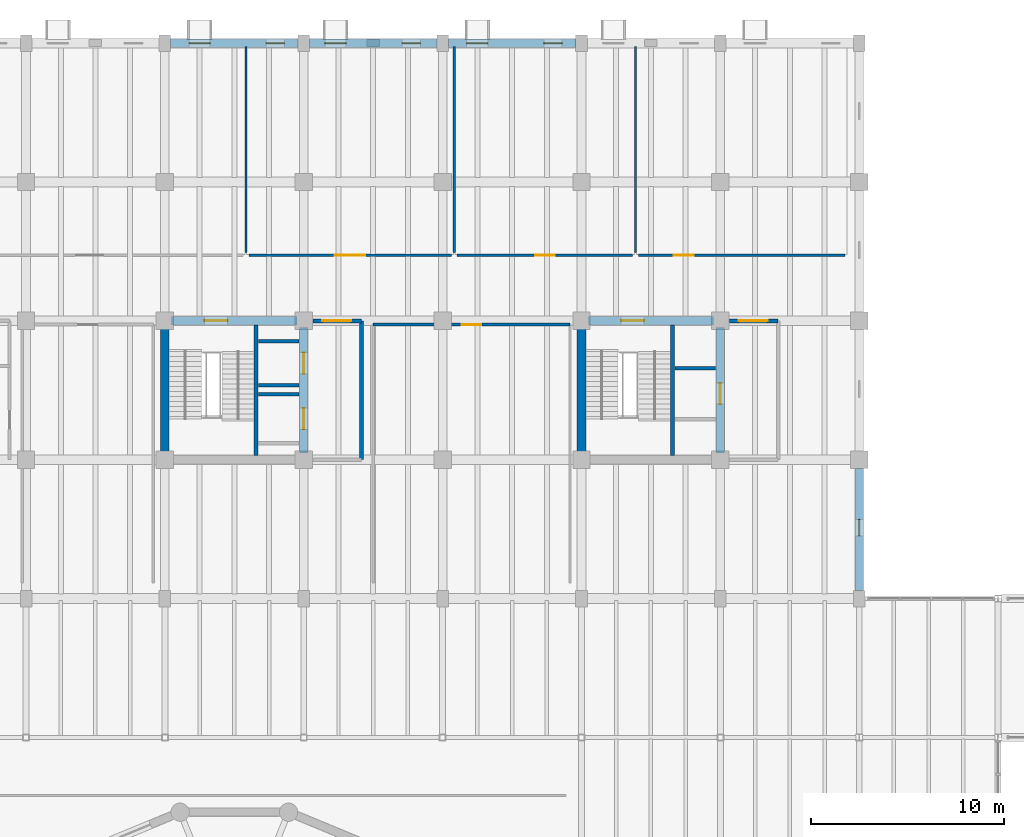
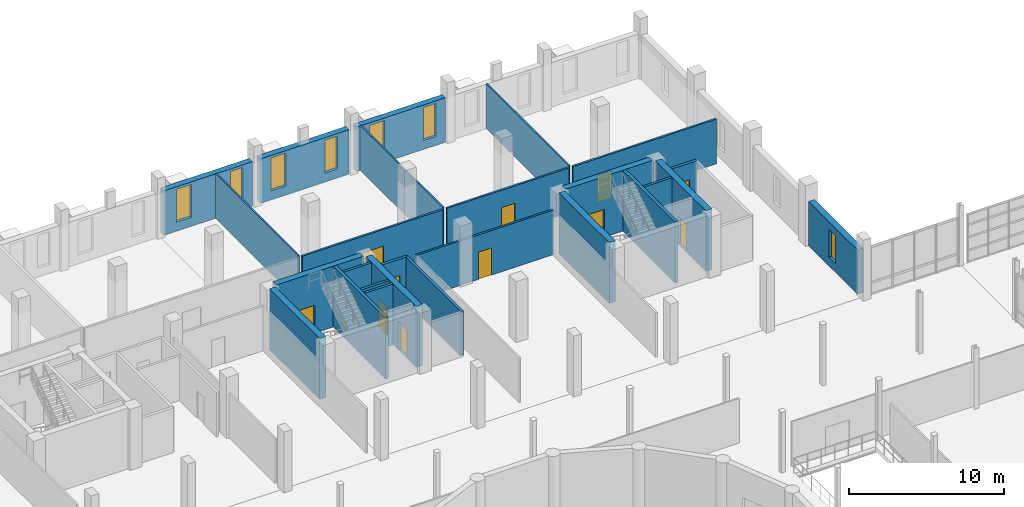
# One storey, part 67 of 77: 26 walls, 11 doors, 7 windows, 18 openings.
"""IFC4 building model written with IfcOpenShell, lengths in metres."""

from ifc_helpers import new_model, si_unit, direction, frame, frame_2d, origin, place, context, subcontext, project, spatial, rectangle, extrude, material, layer, layer_set, type_object, element, fill, save


model = new_model("IFC4")

# Units and contexts
model_context = context("Model", 3, precision=1e-05, world=origin(), true_north=direction((0.0, 1.0)))
body_context = subcontext(model_context, "Body", "Model", "MODEL_VIEW")
ifc_project = project(units=[si_unit("LENGTHUNIT", "METRE"), si_unit("AREAUNIT", "SQUARE_METRE"), si_unit("VOLUMEUNIT", "CUBIC_METRE"), si_unit("PLANEANGLEUNIT", "RADIAN"), si_unit("MASSUNIT", "GRAM", prefix="KILO")], contexts=[model_context])

# Site, building, storey
site_placement = place(None, origin())
site = spatial("IfcSite", under=ifc_project, at=site_placement, CompositionType="ELEMENT")
building_placement = place(site_placement, origin())
building = spatial("IfcBuilding", under=site, at=building_placement, Name="Qiaolan Assembly House", CompositionType="ELEMENT")
storey_placement = place(building_placement, frame((0.0, 0.0, 5.39990234375)))
storey = spatial("IfcBuildingStorey", under=building, at=storey_placement, Name="L01", CompositionType="ELEMENT", Elevation=5.39990234375)

# Wall, openings, doors
ifc_material_1 = material(Name="Concrete C50/60", Category="concrete")
ifc_layer_1 = layer(ifc_material_1, 0.449951171875)
ifc_layer_set_1 = layer_set([ifc_layer_1], Name="Concrete C50/60")
wall_type_1 = type_object("IfcWallType", Name="WAL-CORE-450", PredefinedType="SHEAR", material=ifc_layer_set_1)
wall_1_placement = place(storey_placement, frame((72.0, 93.949951171875, 0.0), z_axis=(0.0, 0.0, 1.0), x_axis=(0.0, 1.0, 0.0)))
wall_1 = element("IfcWall", 1, at=wall_1_placement, inside=storey, type_object=wall_type_1, Name="CW-450 shear core wall CORE-B E L01", PredefinedType="SHEAR", context=body_context, shape_type="SweptSolid", body=[
    extrude(rectangle(XDim=6.5, YDim=0.449951171875, at=frame_2d((3.25, 0.0))), origin(), (0.0, 0.0, 1.0), 4.800048828125),
])
opening_1_placement = place(wall_1_placement, frame((1.22509765625, 0.0, 0.0)))
opening_1 = element("IfcOpeningElement", 2, at=opening_1_placement, cuts=wall_1, Name="Opening LD-021", PredefinedType="OPENING", context=body_context, shape_type="SweptSolid", body=[
    extrude(rectangle(XDim=1.10009765625, YDim=2.199951171875, at=frame_2d((0.550048828125, 1.10009765625))), frame((0.0, 0.23486328125, 0.0), z_axis=(0.0, -1.0, 0.0), x_axis=(1.0, 0.0, 0.0)), (0.0, 0.0, 1.0), 0.469970703125),
])
opening_2_placement = place(wall_1_placement, frame((4.10009765625, 0.0, 0.0)))
opening_2 = element("IfcOpeningElement", 3, at=opening_2_placement, cuts=wall_1, Name="Opening LD-030", PredefinedType="OPENING", context=body_context, shape_type="SweptSolid", body=[
    extrude(rectangle(XDim=1.10009765625, YDim=2.199951171875, at=frame_2d((0.550048828125, 1.10009765625))), frame((0.0, 0.23486328125, 0.0), z_axis=(0.0, -1.0, 0.0), x_axis=(1.0, 0.0, 0.0)), (0.0, 0.0, 1.0), 0.469970703125),
])
ifc_material_2 = material(Name="Anodised bronze aluminium", Category="aluminium")
door_type_1 = type_object("IfcDoorType", Name="DOR-LIFT-LD1100", OperationType="SLIDING_TO_LEFT", PredefinedType="DOOR", material=ifc_material_2)
door_1_placement = place(opening_1_placement, origin())
door_1 = element("IfcDoor", 4, at=door_1_placement, inside=storey, type_object=door_type_1, Name="Lift landing door LD-021 (LF-03 L01)", OperationType="SLIDING_TO_LEFT", OverallHeight=2.199951171875, OverallWidth=1.10009765625, PredefinedType="DOOR", context=body_context, shape_type="SweptSolid", body=[
    extrude(rectangle(XDim=1.10009765625, YDim=2.199951171875, at=frame_2d((0.550048828125, 1.10009765625))), frame((0.0, 0.02490234375, 0.0), z_axis=(0.0, -1.0, 0.0), x_axis=(1.0, 0.0, 0.0)), (0.0, 0.0, 1.0), 0.050048828125),
])
fill(opening_1, door_1)
door_2_placement = place(opening_2_placement, origin())
door_2 = element("IfcDoor", 5, at=door_2_placement, inside=storey, type_object=door_type_1, Name="Lift landing door LD-030 (LF-04 L01)", OperationType="SLIDING_TO_LEFT", OverallHeight=2.199951171875, OverallWidth=1.10009765625, PredefinedType="DOOR", context=body_context, shape_type="SweptSolid", body=[
    extrude(rectangle(XDim=1.10009765625, YDim=2.199951171875, at=frame_2d((0.550048828125, 1.10009765625))), frame((0.0, 0.02490234375, 0.0), z_axis=(0.0, -1.0, 0.0), x_axis=(1.0, 0.0, 0.0)), (0.0, 0.0, 1.0), 0.050048828125),
])
fill(opening_2, door_2)

# Wall, opening, door
wall_2_placement = place(storey_placement, frame((71.64990234375, 100.800048828125, 0.0), z_axis=(0.0, 0.0, 1.0), x_axis=(-1.0, 0.0, 0.0)))
wall_2 = element("IfcWall", 6, at=wall_2_placement, inside=storey, type_object=wall_type_1, Name="CW-450 shear core wall CORE-B N L01", PredefinedType="SHEAR", context=body_context, shape_type="SweptSolid", body=[
    extrude(rectangle(XDim=6.5, YDim=0.449951171875, at=frame_2d((3.25, 0.0))), origin(), (0.0, 0.0, 1.0), 4.800048828125),
])
opening_3_placement = place(wall_2_placement, frame((3.60009765625, 0.0, 0.0)))
opening_3 = element("IfcOpeningElement", 7, at=opening_3_placement, cuts=wall_2, Name="Opening FD-039", PredefinedType="OPENING", context=body_context, shape_type="SweptSolid", body=[
    extrude(rectangle(XDim=1.199951171875, YDim=2.199951171875, at=frame_2d((0.60009765625, 1.10009765625))), frame((0.0, 0.23486328125, 0.0), z_axis=(0.0, -1.0, 0.0), x_axis=(1.0, 0.0, 0.0)), (0.0, 0.0, 1.0), 0.469970703125),
])
ifc_material_3 = material(Name="Steel Q355B", Category="steel")
door_type_2 = type_object("IfcDoorType", Name="DOR-FIRE-FD90-1200", OperationType="NOTDEFINED", PredefinedType="DOOR", material=ifc_material_3)
door_3_placement = place(opening_3_placement, frame((1.199951171875, 0.0, 0.0), z_axis=(0.0, 0.0, 1.0), x_axis=(-1.0, 0.0, 0.0)))
door_3 = element("IfcDoor", 8, at=door_3_placement, inside=storey, type_object=door_type_2, Name="Stairwell fire door FD-039 (CORE-B L01)", OperationType="SINGLE_SWING_LEFT", OverallHeight=2.199951171875, OverallWidth=1.199951171875, PredefinedType="DOOR", context=body_context, shape_type="SweptSolid", body=[
    extrude(rectangle(XDim=1.199951171875, YDim=2.199951171875, at=frame_2d((0.60009765625, 1.10009765625))), frame((0.0, 0.02490234375, 0.0), z_axis=(0.0, -1.0, 0.0), x_axis=(1.0, 0.0, 0.0)), (0.0, 0.0, 1.0), 0.050048828125),
])
fill(opening_3, door_3)

# Wall
wall_3_placement = place(storey_placement, frame((64.800048828125, 100.449951171875, 0.0), z_axis=(0.0, 0.0, 1.0), x_axis=(0.0, -1.0, 0.0)))
element("IfcWall", 9, at=wall_3_placement, inside=storey, type_object=wall_type_1, Name="CW-450 shear core wall CORE-B W L01", PredefinedType="SHEAR", context=body_context, shape_type="SweptSolid", body=[
    extrude(rectangle(XDim=6.5, YDim=0.449951171875, at=frame_2d((3.25, 0.0))), origin(), (0.0, 0.0, 1.0), 4.800048828125),
])

# Wall, opening, door
wall_4_placement = place(storey_placement, frame((93.60009765625, 93.949951171875, 0.0), z_axis=(0.0, 0.0, 1.0), x_axis=(0.0, 1.0, 0.0)))
wall_4 = element("IfcWall", 10, at=wall_4_placement, inside=storey, type_object=wall_type_1, Name="CW-450 shear core wall CORE-G E L01", PredefinedType="SHEAR", context=body_context, shape_type="SweptSolid", body=[
    extrude(rectangle(XDim=6.5, YDim=0.449951171875, at=frame_2d((3.25, 0.0))), origin(), (0.0, 0.0, 1.0), 4.800048828125),
])
opening_4_placement = place(wall_4_placement, frame((2.52490234375, 0.0, 0.0)))
opening_4 = element("IfcOpeningElement", 11, at=opening_4_placement, cuts=wall_4, Name="Opening LD-039", PredefinedType="OPENING", context=body_context, shape_type="SweptSolid", body=[
    extrude(rectangle(XDim=1.10009765625, YDim=2.199951171875, at=frame_2d((0.550048828125, 1.10009765625))), frame((0.0, 0.23486328125, 0.0), z_axis=(0.0, -1.0, 0.0), x_axis=(1.0, 0.0, 0.0)), (0.0, 0.0, 1.0), 0.469970703125),
])
door_4_placement = place(opening_4_placement, origin())
door_4 = element("IfcDoor", 12, at=door_4_placement, inside=storey, type_object=door_type_1, Name="Lift landing door LD-039 (LF-05 L01)", OperationType="SLIDING_TO_LEFT", OverallHeight=2.199951171875, OverallWidth=1.10009765625, PredefinedType="DOOR", context=body_context, shape_type="SweptSolid", body=[
    extrude(rectangle(XDim=1.10009765625, YDim=2.199951171875, at=frame_2d((0.550048828125, 1.10009765625))), frame((0.0, 0.02490234375, 0.0), z_axis=(0.0, -1.0, 0.0), x_axis=(1.0, 0.0, 0.0)), (0.0, 0.0, 1.0), 0.050048828125),
])
fill(opening_4, door_4)

wall_5_placement = place(storey_placement, frame((93.25, 100.800048828125, 0.0), z_axis=(0.0, 0.0, 1.0), x_axis=(-1.0, 0.0, 0.0)))
wall_5 = element("IfcWall", 13, at=wall_5_placement, inside=storey, type_object=wall_type_1, Name="CW-450 shear core wall CORE-G N L01", PredefinedType="SHEAR", context=body_context, shape_type="SweptSolid", body=[
    extrude(rectangle(XDim=6.5, YDim=0.449951171875, at=frame_2d((3.25, 0.0))), origin(), (0.0, 0.0, 1.0), 4.800048828125),
])
opening_5_placement = place(wall_5_placement, frame((3.60009765625, 0.0, 0.0)))
opening_5 = element("IfcOpeningElement", 14, at=opening_5_placement, cuts=wall_5, Name="Opening FD-057", PredefinedType="OPENING", context=body_context, shape_type="SweptSolid", body=[
    extrude(rectangle(XDim=1.199951171875, YDim=2.199951171875, at=frame_2d((0.60009765625, 1.10009765625))), frame((0.0, 0.23486328125, 0.0), z_axis=(0.0, -1.0, 0.0), x_axis=(1.0, 0.0, 0.0)), (0.0, 0.0, 1.0), 0.469970703125),
])
door_5_placement = place(opening_5_placement, frame((1.199951171875, 0.0, 0.0), z_axis=(0.0, 0.0, 1.0), x_axis=(-1.0, 0.0, 0.0)))
door_5 = element("IfcDoor", 15, at=door_5_placement, inside=storey, type_object=door_type_2, Name="Stairwell fire door FD-057 (CORE-G L01)", OperationType="SINGLE_SWING_RIGHT", OverallHeight=2.199951171875, OverallWidth=1.199951171875, PredefinedType="DOOR", context=body_context, shape_type="SweptSolid", body=[
    extrude(rectangle(XDim=1.199951171875, YDim=2.199951171875, at=frame_2d((0.60009765625, 1.10009765625))), frame((0.0, 0.02490234375, 0.0), z_axis=(0.0, -1.0, 0.0), x_axis=(1.0, 0.0, 0.0)), (0.0, 0.0, 1.0), 0.050048828125),
])
fill(opening_5, door_5)

# Wall
wall_6_placement = place(storey_placement, frame((86.39990234375, 100.449951171875, 0.0), z_axis=(0.0, 0.0, 1.0), x_axis=(0.0, -1.0, 0.0)))
element("IfcWall", 16, at=wall_6_placement, inside=storey, type_object=wall_type_1, Name="CW-450 shear core wall CORE-G W L01", PredefinedType="SHEAR", context=body_context, shape_type="SweptSolid", body=[
    extrude(rectangle(XDim=6.5, YDim=0.449951171875, at=frame_2d((3.25, 0.0))), origin(), (0.0, 0.0, 1.0), 4.800048828125),
])

# Wall, openings, windows
ifc_material_4 = material(Name="Honed pale limestone", Category="masonry")
ifc_layer_2 = layer(ifc_material_4, 0.43505859375)
ifc_layer_set_2 = layer_set([ifc_layer_2], Name="Honed pale limestone")
wall_type_2 = type_object("IfcWallType", Name="WAL-EXT-RUSTIC-420", PredefinedType="SOLIDWALL", material=ifc_layer_set_2)
wall_7_placement = place(storey_placement, frame((71.701904296875, 115.199951171875, 0.0), z_axis=(0.0, 0.0, 1.0), x_axis=(-1.0, 0.0, 0.0)))
wall_7 = element("IfcWall", 17, at=wall_7_placement, inside=storey, type_object=wall_type_2, Name="EW-420 NW North street wall L01 bay 5", PredefinedType="SOLIDWALL", context=body_context, shape_type="SweptSolid", body=[
    extrude(rectangle(XDim=6.60400390625, YDim=0.43505859375, at=frame_2d((3.302001953125, 0.0))), origin(), (0.0, 0.0, 1.0), 3.5),
])
opening_6_placement = place(wall_7_placement, frame((0.701904296875, 0.0, 0.699951171875)))
opening_6 = element("IfcOpeningElement", 18, at=opening_6_placement, cuts=wall_7, Name="Opening WN-024", PredefinedType="OPENING", context=body_context, shape_type="SweptSolid", body=[
    extrude(rectangle(XDim=0.949951171875, YDim=2.60009765625, at=frame_2d((0.47509765625, 1.300048828125))), frame((0.0, 0.2275390625, 0.0), z_axis=(0.0, -1.0, 0.0), x_axis=(1.0, 0.0, 0.0)), (0.0, 0.0, 1.0), 0.455078125),
])
opening_7_placement = place(wall_7_placement, frame((4.552001953125, 0.0, 0.699951171875)))
opening_7 = element("IfcOpeningElement", 19, at=opening_7_placement, cuts=wall_7, Name="Opening WN-025", PredefinedType="OPENING", context=body_context, shape_type="SweptSolid", body=[
    extrude(rectangle(XDim=1.10009765625, YDim=2.60009765625, at=frame_2d((0.550048828125, 1.300048828125))), frame((0.0, 0.2275390625, 0.0), z_axis=(0.0, -1.0, 0.0), x_axis=(1.0, 0.0, 0.0)), (0.0, 0.0, 1.0), 0.455078125),
])
ifc_material_5 = material(Name="Low-E double insulating glass", Category="glass")
window_type_1 = type_object("IfcWindowType", Name="WIN-BOX-1100x2600", PartitioningType="SINGLE_PANEL", PredefinedType="WINDOW", material=ifc_material_5)
window_1_placement = place(opening_7_placement, origin())
window_1 = element("IfcWindow", 20, at=window_1_placement, inside=storey, type_object=window_type_1, Name="WN-T02 window WN-025", OverallHeight=2.60009765625, OverallWidth=1.10009765625, PartitioningType="SINGLE_PANEL", PredefinedType="WINDOW", context=body_context, shape_type="SweptSolid", body=[
    extrude(rectangle(XDim=1.10009765625, YDim=2.60009765625, at=frame_2d((0.550048828125, 1.300048828125))), frame((0.0, 0.030029296875, 0.0), z_axis=(0.0, -1.0, 0.0), x_axis=(1.0, 0.0, 0.0)), (0.0, 0.0, 1.0), 0.06005859375),
])
fill(opening_7, window_1)
window_type_2 = type_object("IfcWindowType", Name="WIN-PUNCH-950x2600", PartitioningType="SINGLE_PANEL", PredefinedType="WINDOW", material=ifc_material_5)
window_2_placement = place(opening_6_placement, origin())
window_2 = element("IfcWindow", 21, at=window_2_placement, inside=storey, type_object=window_type_2, Name="WN-T03 window WN-024", OverallHeight=2.60009765625, OverallWidth=0.949951171875, PartitioningType="SINGLE_PANEL", PredefinedType="WINDOW", context=body_context, shape_type="SweptSolid", body=[
    extrude(rectangle(XDim=0.949951171875, YDim=2.60009765625, at=frame_2d((0.47509765625, 1.300048828125))), frame((0.0, 0.030029296875, 0.0), z_axis=(0.0, -1.0, 0.0), x_axis=(1.0, 0.0, 0.0)), (0.0, 0.0, 1.0), 0.06005859375),
])
fill(opening_6, window_2)

wall_8_placement = place(storey_placement, frame((78.902099609375, 115.199951171875, 0.0), z_axis=(0.0, 0.0, 1.0), x_axis=(-1.0, 0.0, 0.0)))
wall_8 = element("IfcWall", 22, at=wall_8_placement, inside=storey, type_object=wall_type_2, Name="EW-420 NW North street wall L01 bay 6", PredefinedType="SOLIDWALL", context=body_context, shape_type="SweptSolid", body=[
    extrude(rectangle(XDim=6.60400390625, YDim=0.43505859375, at=frame_2d((3.302001953125, 0.0))), origin(), (0.0, 0.0, 1.0), 3.5),
])
opening_8_placement = place(wall_8_placement, frame((0.85205078125, 0.0, 0.699951171875)))
opening_8 = element("IfcOpeningElement", 23, at=opening_8_placement, cuts=wall_8, Name="Opening WN-026", PredefinedType="OPENING", context=body_context, shape_type="SweptSolid", body=[
    extrude(rectangle(XDim=0.949951171875, YDim=2.60009765625, at=frame_2d((0.47509765625, 1.300048828125))), frame((0.0, 0.2275390625, 0.0), z_axis=(0.0, -1.0, 0.0), x_axis=(1.0, 0.0, 0.0)), (0.0, 0.0, 1.0), 0.455078125),
])
opening_9_placement = place(wall_8_placement, frame((4.701904296875, 0.0, 0.699951171875)))
opening_9 = element("IfcOpeningElement", 24, at=opening_9_placement, cuts=wall_8, Name="Opening WN-027", PredefinedType="OPENING", context=body_context, shape_type="SweptSolid", body=[
    extrude(rectangle(XDim=1.10009765625, YDim=2.60009765625, at=frame_2d((0.550048828125, 1.300048828125))), frame((0.0, 0.2275390625, 0.0), z_axis=(0.0, -1.0, 0.0), x_axis=(1.0, 0.0, 0.0)), (0.0, 0.0, 1.0), 0.455078125),
])
window_3_placement = place(opening_9_placement, origin())
window_3 = element("IfcWindow", 25, at=window_3_placement, inside=storey, type_object=window_type_1, Name="WN-T02 window WN-027", OverallHeight=2.60009765625, OverallWidth=1.10009765625, PartitioningType="SINGLE_PANEL", PredefinedType="WINDOW", context=body_context, shape_type="SweptSolid", body=[
    extrude(rectangle(XDim=1.10009765625, YDim=2.60009765625, at=frame_2d((0.550048828125, 1.300048828125))), frame((0.0, 0.030029296875, 0.0), z_axis=(0.0, -1.0, 0.0), x_axis=(1.0, 0.0, 0.0)), (0.0, 0.0, 1.0), 0.06005859375),
])
fill(opening_9, window_3)
window_4_placement = place(opening_8_placement, origin())
window_4 = element("IfcWindow", 26, at=window_4_placement, inside=storey, type_object=window_type_2, Name="WN-T03 window WN-026", OverallHeight=2.60009765625, OverallWidth=0.949951171875, PartitioningType="SINGLE_PANEL", PredefinedType="WINDOW", context=body_context, shape_type="SweptSolid", body=[
    extrude(rectangle(XDim=0.949951171875, YDim=2.60009765625, at=frame_2d((0.47509765625, 1.300048828125))), frame((0.0, 0.030029296875, 0.0), z_axis=(0.0, -1.0, 0.0), x_axis=(1.0, 0.0, 0.0)), (0.0, 0.0, 1.0), 0.06005859375),
])
fill(opening_8, window_4)

wall_9_placement = place(storey_placement, frame((86.10205078125, 115.199951171875, 0.0), z_axis=(0.0, 0.0, 1.0), x_axis=(-1.0, 0.0, 0.0)))
wall_9 = element("IfcWall", 27, at=wall_9_placement, inside=storey, type_object=wall_type_2, Name="EW-420 NW North street wall L01 bay 7", PredefinedType="SOLIDWALL", context=body_context, shape_type="SweptSolid", body=[
    extrude(rectangle(XDim=6.60400390625, YDim=0.43505859375, at=frame_2d((3.302001953125, 0.0))), origin(), (0.0, 0.0, 1.0), 3.5),
])
opening_10_placement = place(wall_9_placement, frame((0.701904296875, 0.0, 0.699951171875)))
opening_10 = element("IfcOpeningElement", 28, at=opening_10_placement, cuts=wall_9, Name="Opening WN-028", PredefinedType="OPENING", context=body_context, shape_type="SweptSolid", body=[
    extrude(rectangle(XDim=0.949951171875, YDim=2.60009765625, at=frame_2d((0.47509765625, 1.300048828125))), frame((0.0, 0.2275390625, 0.0), z_axis=(0.0, -1.0, 0.0), x_axis=(1.0, 0.0, 0.0)), (0.0, 0.0, 1.0), 0.455078125),
])
opening_11_placement = place(wall_9_placement, frame((4.552001953125, 0.0, 0.699951171875)))
opening_11 = element("IfcOpeningElement", 29, at=opening_11_placement, cuts=wall_9, Name="Opening WN-029", PredefinedType="OPENING", context=body_context, shape_type="SweptSolid", body=[
    extrude(rectangle(XDim=1.10009765625, YDim=2.60009765625, at=frame_2d((0.550048828125, 1.300048828125))), frame((0.0, 0.2275390625, 0.0), z_axis=(0.0, -1.0, 0.0), x_axis=(1.0, 0.0, 0.0)), (0.0, 0.0, 1.0), 0.455078125),
])
window_5_placement = place(opening_11_placement, origin())
window_5 = element("IfcWindow", 30, at=window_5_placement, inside=storey, type_object=window_type_1, Name="WN-T02 window WN-029", OverallHeight=2.60009765625, OverallWidth=1.10009765625, PartitioningType="SINGLE_PANEL", PredefinedType="WINDOW", context=body_context, shape_type="SweptSolid", body=[
    extrude(rectangle(XDim=1.10009765625, YDim=2.60009765625, at=frame_2d((0.550048828125, 1.300048828125))), frame((0.0, 0.030029296875, 0.0), z_axis=(0.0, -1.0, 0.0), x_axis=(1.0, 0.0, 0.0)), (0.0, 0.0, 1.0), 0.06005859375),
])
fill(opening_11, window_5)
window_6_placement = place(opening_10_placement, origin())
window_6 = element("IfcWindow", 31, at=window_6_placement, inside=storey, type_object=window_type_2, Name="WN-T03 window WN-028", OverallHeight=2.60009765625, OverallWidth=0.949951171875, PartitioningType="SINGLE_PANEL", PredefinedType="WINDOW", context=body_context, shape_type="SweptSolid", body=[
    extrude(rectangle(XDim=0.949951171875, YDim=2.60009765625, at=frame_2d((0.47509765625, 1.300048828125))), frame((0.0, 0.030029296875, 0.0), z_axis=(0.0, -1.0, 0.0), x_axis=(1.0, 0.0, 0.0)), (0.0, 0.0, 1.0), 0.06005859375),
])
fill(opening_10, window_6)

# Wall, opening, window
wall_10_placement = place(storey_placement, frame((100.800048828125, 93.152099609375, 0.0), z_axis=(0.0, 0.0, 1.0), x_axis=(0.0, -1.0, 0.0)))
wall_10 = element("IfcWall", 32, at=wall_10_placement, inside=storey, type_object=wall_type_2, Name="NW East wall L01-1", PredefinedType="SOLIDWALL", context=body_context, shape_type="SweptSolid", body=[
    extrude(rectangle(XDim=6.3291015625, YDim=0.43505859375, at=frame_2d((3.16455078125, 0.0))), origin(), (0.0, 0.0, 1.0), 3.5),
])
opening_12_placement = place(wall_10_placement, frame((2.652099609375, 0.0, 0.699951171875)))
opening_12 = element("IfcOpeningElement", 33, at=opening_12_placement, cuts=wall_10, Name="Opening WN-035", PredefinedType="OPENING", context=body_context, shape_type="SweptSolid", body=[
    extrude(rectangle(XDim=0.85009765625, YDim=2.199951171875, at=frame_2d((0.425048828125, 1.10009765625))), frame((0.0, 0.2275390625, 0.0), z_axis=(0.0, -1.0, 0.0), x_axis=(1.0, 0.0, 0.0)), (0.0, 0.0, 1.0), 0.455078125),
])
window_type_3 = type_object("IfcWindowType", Name="WIN-END-850x2200", PartitioningType="SINGLE_PANEL", PredefinedType="WINDOW", material=ifc_material_5)
window_7_placement = place(opening_12_placement, origin())
window_7 = element("IfcWindow", 34, at=window_7_placement, inside=storey, type_object=window_type_3, Name="NW East window WN-035", OverallHeight=2.199951171875, OverallWidth=0.85009765625, PartitioningType="SINGLE_PANEL", PredefinedType="WINDOW", context=body_context, shape_type="SweptSolid", body=[
    extrude(rectangle(XDim=0.85009765625, YDim=2.199951171875, at=frame_2d((0.425048828125, 1.10009765625))), frame((0.0, 0.030029296875, 0.0), z_axis=(0.0, -1.0, 0.0), x_axis=(1.0, 0.0, 0.0)), (0.0, 0.0, 1.0), 0.06005859375),
])
fill(opening_12, window_7)

# Wall
ifc_material_6 = material(Name="Concrete C35/45", Category="concrete")
ifc_layer_3 = layer(ifc_material_6, 0.199951171875)
ifc_layer_set_3 = layer_set([ifc_layer_3], Name="Concrete C35/45")
wall_type_3 = type_object("IfcWallType", Name="WAL-LOBBY-200", PredefinedType="PARTITIONING", material=ifc_layer_set_3)
wall_11_placement = place(storey_placement, frame((75.0, 93.60009765625, 0.0), z_axis=(0.0, 0.0, 1.0), x_axis=(0.0, 1.0, 0.0)))
element("IfcWall", 35, at=wall_11_placement, inside=storey, type_object=wall_type_3, Name="Firefighting lift lobby east wall CORE-B L01", PredefinedType="PARTITIONING", context=body_context, shape_type="SweptSolid", body=[
    extrude(rectangle(XDim=7.199951171875, YDim=0.199951171875, at=frame_2d((3.60009765625, 0.0))), origin(), (0.0, 0.0, 1.0), 3.52001953125),
])

# Wall, opening, door
wall_12_placement = place(storey_placement, frame((75.0, 100.800048828125, 0.0), z_axis=(0.0, 0.0, 1.0), x_axis=(-1.0, 0.0, 0.0)))
wall_12 = element("IfcWall", 36, at=wall_12_placement, inside=storey, type_object=wall_type_3, Name="Firefighting lift lobby north wall CORE-B L01", PredefinedType="PARTITIONING", context=body_context, shape_type="SweptSolid", body=[
    extrude(rectangle(XDim=2.52001953125, YDim=0.199951171875, at=frame_2d((1.260009765625, 0.0))), origin(), (0.0, 0.0, 1.0), 3.52001953125),
])
opening_13_placement = place(wall_12_placement, frame((0.550048828125, 0.0, 0.0)))
opening_13 = element("IfcOpeningElement", 37, at=opening_13_placement, cuts=wall_12, Name="Opening FD-040", PredefinedType="OPENING", context=body_context, shape_type="SweptSolid", body=[
    extrude(rectangle(XDim=1.5, YDim=2.199951171875, at=frame_2d((0.75, 1.10009765625))), frame((0.0, 0.10986328125, 0.0), z_axis=(0.0, -1.0, 0.0), x_axis=(1.0, 0.0, 0.0)), (0.0, 0.0, 1.0), 0.219970703125),
])
ifc_material_7 = material(Name="Acoustic oak panelling")
door_type_3 = type_object("IfcDoorType", Name="DOR-LOBBY-FD60-1500", OperationType="DOUBLE_DOOR_SINGLE_SWING", PredefinedType="DOOR", material=ifc_material_7)
door_6_placement = place(opening_13_placement, frame((1.5, 0.0, 0.0), z_axis=(0.0, 0.0, 1.0), x_axis=(-1.0, 0.0, 0.0)))
door_6 = element("IfcDoor", 38, at=door_6_placement, inside=storey, type_object=door_type_3, Name="Lobby corridor fire door FD-040", OperationType="DOUBLE_DOOR_SINGLE_SWING", OverallHeight=2.199951171875, OverallWidth=1.5, PredefinedType="DOOR", context=body_context, shape_type="SweptSolid", body=[
    extrude(rectangle(XDim=1.5, YDim=2.199951171875, at=frame_2d((0.75, 1.10009765625))), frame((0.0, 0.02490234375, 0.0), z_axis=(0.0, -1.0, 0.0), x_axis=(1.0, 0.0, 0.0)), (0.0, 0.0, 1.0), 0.050048828125),
])
fill(opening_13, door_6)

wall_13_placement = place(storey_placement, frame((96.60009765625, 100.800048828125, 0.0), z_axis=(0.0, 0.0, 1.0), x_axis=(-1.0, 0.0, 0.0)))
wall_13 = element("IfcWall", 39, at=wall_13_placement, inside=storey, type_object=wall_type_3, Name="Firefighting lift lobby north wall CORE-G L01", PredefinedType="PARTITIONING", context=body_context, shape_type="SweptSolid", body=[
    extrude(rectangle(XDim=2.52001953125, YDim=0.199951171875, at=frame_2d((1.260009765625, 0.0))), origin(), (0.0, 0.0, 1.0), 3.52001953125),
])
opening_14_placement = place(wall_13_placement, frame((0.550048828125, 0.0, 0.0)))
opening_14 = element("IfcOpeningElement", 40, at=opening_14_placement, cuts=wall_13, Name="Opening FD-058", PredefinedType="OPENING", context=body_context, shape_type="SweptSolid", body=[
    extrude(rectangle(XDim=1.5, YDim=2.199951171875, at=frame_2d((0.75, 1.10009765625))), frame((0.0, 0.10986328125, 0.0), z_axis=(0.0, -1.0, 0.0), x_axis=(1.0, 0.0, 0.0)), (0.0, 0.0, 1.0), 0.219970703125),
])
door_7_placement = place(opening_14_placement, frame((1.5, 0.0, 0.0), z_axis=(0.0, 0.0, 1.0), x_axis=(-1.0, 0.0, 0.0)))
door_7 = element("IfcDoor", 41, at=door_7_placement, inside=storey, type_object=door_type_3, Name="Lobby corridor fire door FD-058", OperationType="DOUBLE_DOOR_SINGLE_SWING", OverallHeight=2.199951171875, OverallWidth=1.5, PredefinedType="DOOR", context=body_context, shape_type="SweptSolid", body=[
    extrude(rectangle(XDim=1.5, YDim=2.199951171875, at=frame_2d((0.75, 1.10009765625))), frame((0.0, 0.02490234375, 0.0), z_axis=(0.0, -1.0, 0.0), x_axis=(1.0, 0.0, 0.0)), (0.0, 0.0, 1.0), 0.050048828125),
])
fill(opening_14, door_7)

# Walls
ifc_material_8 = material(Name="Gypsum plasterboard partition")
ifc_layer_4 = layer(ifc_material_8, 0.1201171875)
ifc_layer_set_4 = layer_set([ifc_layer_4], Name="Gypsum plasterboard partition")
wall_type_4 = type_object("IfcWallType", Name="WAL-PART-120", PredefinedType="PARTITIONING", material=ifc_layer_set_4)
for number, where, z_axis, x_axis, name in (
    (42, (69.0, 104.35009765625, 0.0), (0.0, 0.0, 1.0), (0.0, 1.0, 0.0), "Public Hearing Witness Waiting Lounge demising wall"),
    (43, (79.800048828125, 104.35009765625, 0.0), (0.0, 0.0, 1.0), (0.0, 1.0, 0.0), "Simultaneous Interpretation & AV Control Room demising wall"),
    (44, (89.199951171875, 104.35009765625, 0.0), (0.0, 0.0, 1.0), (0.0, 1.0, 0.0), "Legislative Drafting & Clerks Office demising wall"),
):
    element("IfcWall", number, at=place(storey_placement, frame(where, z_axis=z_axis, x_axis=x_axis)), inside=storey, type_object=wall_type_4, Name=name, PredefinedType="PARTITIONING", context=body_context, shape_type="SweptSolid", body=[
        extrude(rectangle(XDim=10.669921875, YDim=0.1201171875, at=frame_2d((5.3349609375, 0.0))), origin(), (0.0, 0.0, 1.0), 3.52001953125),
    ])

# Wall, opening, door
ifc_layer_5 = layer(ifc_material_8, 0.14990234375)
ifc_layer_set_5 = layer_set([ifc_layer_5], Name="Gypsum plasterboard partition")
wall_type_5 = type_object("IfcWallType", Name="WAL-PART-150", PredefinedType="PARTITIONING", material=ifc_layer_set_5)
wall_14_placement = place(storey_placement, frame((69.14990234375, 104.199951171875, 0.0), z_axis=(0.0, 0.0, 1.0), x_axis=(1.0, 0.0, 0.0)))
wall_14 = element("IfcWall", 45, at=wall_14_placement, inside=storey, type_object=wall_type_5, Name="Public Hearing Witness Waiting Lounge corridor wall", PredefinedType="PARTITIONING", context=body_context, shape_type="SweptSolid", body=[
    extrude(rectangle(XDim=10.5, YDim=0.14990234375, at=frame_2d((5.25, 0.0))), origin(), (0.0, 0.0, 1.0), 3.52001953125),
])
opening_15_placement = place(wall_14_placement, frame((4.449951171875, 0.0, 0.0)))
opening_15 = element("IfcOpeningElement", 46, at=opening_15_placement, cuts=wall_14, Name="Opening ND-185", PredefinedType="OPENING", context=body_context, shape_type="SweptSolid", body=[
    extrude(rectangle(XDim=1.60009765625, YDim=2.199951171875, at=frame_2d((0.800048828125, 1.10009765625))), frame((0.0, 0.0849609375, 0.0), z_axis=(0.0, -1.0, 0.0), x_axis=(1.0, 0.0, 0.0)), (0.0, 0.0, 1.0), 0.169921875),
])
door_type_4 = type_object("IfcDoorType", Name="DOR-COMM-DBL-1600", OperationType="DOUBLE_DOOR_SINGLE_SWING", PredefinedType="DOOR", material=ifc_material_7)
door_8_placement = place(opening_15_placement, origin())
door_8 = element("IfcDoor", 47, at=door_8_placement, inside=storey, type_object=door_type_4, Name="Public Hearing Witness Waiting Lounge door ND-185", OperationType="DOUBLE_DOOR_SINGLE_SWING", OverallHeight=2.199951171875, OverallWidth=1.60009765625, PredefinedType="DOOR", context=body_context, shape_type="SweptSolid", body=[
    extrude(rectangle(XDim=1.60009765625, YDim=2.199951171875, at=frame_2d((0.800048828125, 1.10009765625))), frame((0.0, 0.02490234375, 0.0), z_axis=(0.0, -1.0, 0.0), x_axis=(1.0, 0.0, 0.0)), (0.0, 0.0, 1.0), 0.050048828125),
])
fill(opening_15, door_8)

wall_15_placement = place(storey_placement, frame((79.949951171875, 104.199951171875, 0.0), z_axis=(0.0, 0.0, 1.0), x_axis=(1.0, 0.0, 0.0)))
wall_15 = element("IfcWall", 48, at=wall_15_placement, inside=storey, type_object=wall_type_5, Name="Simultaneous Interpretation & AV Control Room corridor wall", PredefinedType="PARTITIONING", context=body_context, shape_type="SweptSolid", body=[
    extrude(rectangle(XDim=9.10009765625, YDim=0.14990234375, at=frame_2d((4.550048828125, 0.0))), origin(), (0.0, 0.0, 1.0), 3.52001953125),
])
opening_16_placement = place(wall_15_placement, frame((4.050048828125, 0.0, 0.0)))
opening_16 = element("IfcOpeningElement", 49, at=opening_16_placement, cuts=wall_15, Name="Opening ND-186", PredefinedType="OPENING", context=body_context, shape_type="SweptSolid", body=[
    extrude(rectangle(XDim=1.0, YDim=2.14990234375, at=frame_2d((0.5, 1.074951171875))), frame((0.0, 0.0849609375, 0.0), z_axis=(0.0, -1.0, 0.0), x_axis=(1.0, 0.0, 0.0)), (0.0, 0.0, 1.0), 0.169921875),
])
door_type_5 = type_object("IfcDoorType", Name="DOR-OFF-SGL-1000", OperationType="NOTDEFINED", PredefinedType="DOOR", material=ifc_material_7)
door_9_placement = place(opening_16_placement, origin())
door_9 = element("IfcDoor", 50, at=door_9_placement, inside=storey, type_object=door_type_5, Name="Simultaneous Interpretation & AV Control Room door ND-186", OperationType="SINGLE_SWING_LEFT", OverallHeight=2.14990234375, OverallWidth=1.0, PredefinedType="DOOR", context=body_context, shape_type="SweptSolid", body=[
    extrude(rectangle(XDim=1.0, YDim=2.14990234375, at=frame_2d((0.5, 1.074951171875))), frame((0.0, 0.02490234375, 0.0), z_axis=(0.0, -1.0, 0.0), x_axis=(1.0, 0.0, 0.0)), (0.0, 0.0, 1.0), 0.050048828125),
])
fill(opening_16, door_9)

wall_16_placement = place(storey_placement, frame((89.35009765625, 104.199951171875, 0.0), z_axis=(0.0, 0.0, 1.0), x_axis=(1.0, 0.0, 0.0)))
wall_16 = element("IfcWall", 51, at=wall_16_placement, inside=storey, type_object=wall_type_5, Name="Legislative Drafting & Clerks Office corridor wall", PredefinedType="PARTITIONING", context=body_context, shape_type="SweptSolid", body=[
    extrude(rectangle(XDim=10.699951171875, YDim=0.14990234375, at=frame_2d((5.35009765625, 0.0))), origin(), (0.0, 0.0, 1.0), 3.52001953125),
])
opening_17_placement = place(wall_16_placement, frame((1.824951171875, 0.0, 0.0)))
opening_17 = element("IfcOpeningElement", 52, at=opening_17_placement, cuts=wall_16, Name="Opening ND-187", PredefinedType="OPENING", context=body_context, shape_type="SweptSolid", body=[
    extrude(rectangle(XDim=1.050048828125, YDim=2.14990234375, at=frame_2d((0.52490234375, 1.074951171875))), frame((0.0, 0.0849609375, 0.0), z_axis=(0.0, -1.0, 0.0), x_axis=(1.0, 0.0, 0.0)), (0.0, 0.0, 1.0), 0.169921875),
])
door_type_6 = type_object("IfcDoorType", Name="DOR-OFF-LRG-1050", OperationType="NOTDEFINED", PredefinedType="DOOR", material=ifc_material_7)
door_10_placement = place(opening_17_placement, origin())
door_10 = element("IfcDoor", 53, at=door_10_placement, inside=storey, type_object=door_type_6, Name="Legislative Drafting & Clerks Office door ND-187", OperationType="SINGLE_SWING_RIGHT", OverallHeight=2.14990234375, OverallWidth=1.050048828125, PredefinedType="DOOR", context=body_context, shape_type="SweptSolid", body=[
    extrude(rectangle(XDim=1.050048828125, YDim=2.14990234375, at=frame_2d((0.52490234375, 1.074951171875))), frame((0.0, 0.02490234375, 0.0), z_axis=(0.0, -1.0, 0.0), x_axis=(1.0, 0.0, 0.0)), (0.0, 0.0, 1.0), 0.050048828125),
])
fill(opening_17, door_10)

wall_17_placement = place(storey_placement, frame((85.800048828125, 100.60009765625, 0.0), z_axis=(0.0, 0.0, 1.0), x_axis=(-1.0, 0.0, 0.0)))
wall_17 = element("IfcWall", 54, at=wall_17_placement, inside=storey, type_object=wall_type_5, Name="Witness & Press Interview Room corridor wall", PredefinedType="PARTITIONING", context=body_context, shape_type="SweptSolid", body=[
    extrude(rectangle(XDim=10.199951171875, YDim=0.14990234375, at=frame_2d((5.10009765625, 0.0))), origin(), (0.0, 0.0, 1.0), 3.52001953125),
])
opening_18_placement = place(wall_17_placement, frame((4.60009765625, 0.0, 0.0)))
opening_18 = element("IfcOpeningElement", 55, at=opening_18_placement, cuts=wall_17, Name="Opening SD-190", PredefinedType="OPENING", context=body_context, shape_type="SweptSolid", body=[
    extrude(rectangle(XDim=1.0, YDim=2.14990234375, at=frame_2d((0.5, 1.074951171875))), frame((0.0, 0.0849609375, 0.0), z_axis=(0.0, -1.0, 0.0), x_axis=(1.0, 0.0, 0.0)), (0.0, 0.0, 1.0), 0.169921875),
])
door_11_placement = place(opening_18_placement, origin())
door_11 = element("IfcDoor", 56, at=door_11_placement, inside=storey, type_object=door_type_5, Name="Witness & Press Interview Room door SD-190", OperationType="SINGLE_SWING_LEFT", OverallHeight=2.14990234375, OverallWidth=1.0, PredefinedType="DOOR", context=body_context, shape_type="SweptSolid", body=[
    extrude(rectangle(XDim=1.0, YDim=2.14990234375, at=frame_2d((0.5, 1.074951171875))), frame((0.0, 0.02490234375, 0.0), z_axis=(0.0, -1.0, 0.0), x_axis=(1.0, 0.0, 0.0)), (0.0, 0.0, 1.0), 0.050048828125),
])
fill(opening_18, door_11)

# Walls
ifc_layer_6 = layer(ifc_material_6, 0.18505859375)
ifc_layer_set_6 = layer_set([ifc_layer_6], Name="Concrete C35/45")
wall_type_6 = type_object("IfcWallType", Name="WAL-SHAFT-200", PredefinedType="PARTITIONING", material=ifc_layer_set_6)
for number, where, z_axis, x_axis, name in (
    (57, (69.64990234375, 97.0, 0.0), (0.0, 0.0, 1.0), (1.0, 0.0, 0.0), "SW-200 lift shaft wall LF-03 L01 DIVN"),
    (58, (69.64990234375, 97.449951171875, 0.0), (0.0, 0.0, 1.0), (1.0, 0.0, 0.0), "SW-200 lift shaft wall LF-04 L01 DIVS"),
    (59, (69.64990234375, 99.75, 0.0), (0.0, 0.0, 1.0), (1.0, 0.0, 0.0), "SW-200 lift shaft wall LF-04 L01 DIVN"),
    (60, (91.25, 98.35009765625, 0.0), (0.0, 0.0, 1.0), (1.0, 0.0, 0.0), "SW-200 lift shaft wall LF-05 L01 DIVN"),
):
    element("IfcWall", number, at=place(storey_placement, frame(where, z_axis=z_axis, x_axis=x_axis)), inside=storey, type_object=wall_type_6, Name=name, PredefinedType="PARTITIONING", context=body_context, shape_type="SweptSolid", body=[
        extrude(rectangle(XDim=2.10009765625, YDim=0.18505859375, at=frame_2d((1.050048828125, 0.0))), origin(), (0.0, 0.0, 1.0), 4.800048828125),
    ])
ifc_material_9 = material(Name="Concrete C40/50", Category="concrete")
ifc_layer_7 = layer(ifc_material_9, 0.22509765625)
ifc_layer_set_7 = layer_set([ifc_layer_7], Name="Concrete C40/50")
wall_type_7 = type_object("IfcWallType", Name="WAL-STAIR-DIV-225", PredefinedType="SHEAR", material=ifc_layer_set_7)
for number, where, z_axis, x_axis, name in (
    (61, (69.52001953125, 93.820068359375, 0.0), (0.0, 0.0, 1.0), (0.0, 1.0, 0.0), "SDW-225 stairwell structural spine wall CORE-B L01"),
    (62, (91.1201171875, 93.820068359375, 0.0), (0.0, 0.0, 1.0), (0.0, 1.0, 0.0), "SDW-225 stairwell structural spine wall CORE-G L01"),
):
    element("IfcWall", number, at=place(storey_placement, frame(where, z_axis=z_axis, x_axis=x_axis)), inside=storey, type_object=wall_type_7, Name=name, PredefinedType="SHEAR", context=body_context, shape_type="SweptSolid", body=[
        extrude(rectangle(XDim=6.760009765625, YDim=0.22509765625, at=frame_2d((3.3798828125, 0.0))), origin(), (0.0, 0.0, 1.0), 4.800048828125),
    ])

save(model, "model.ifc")
